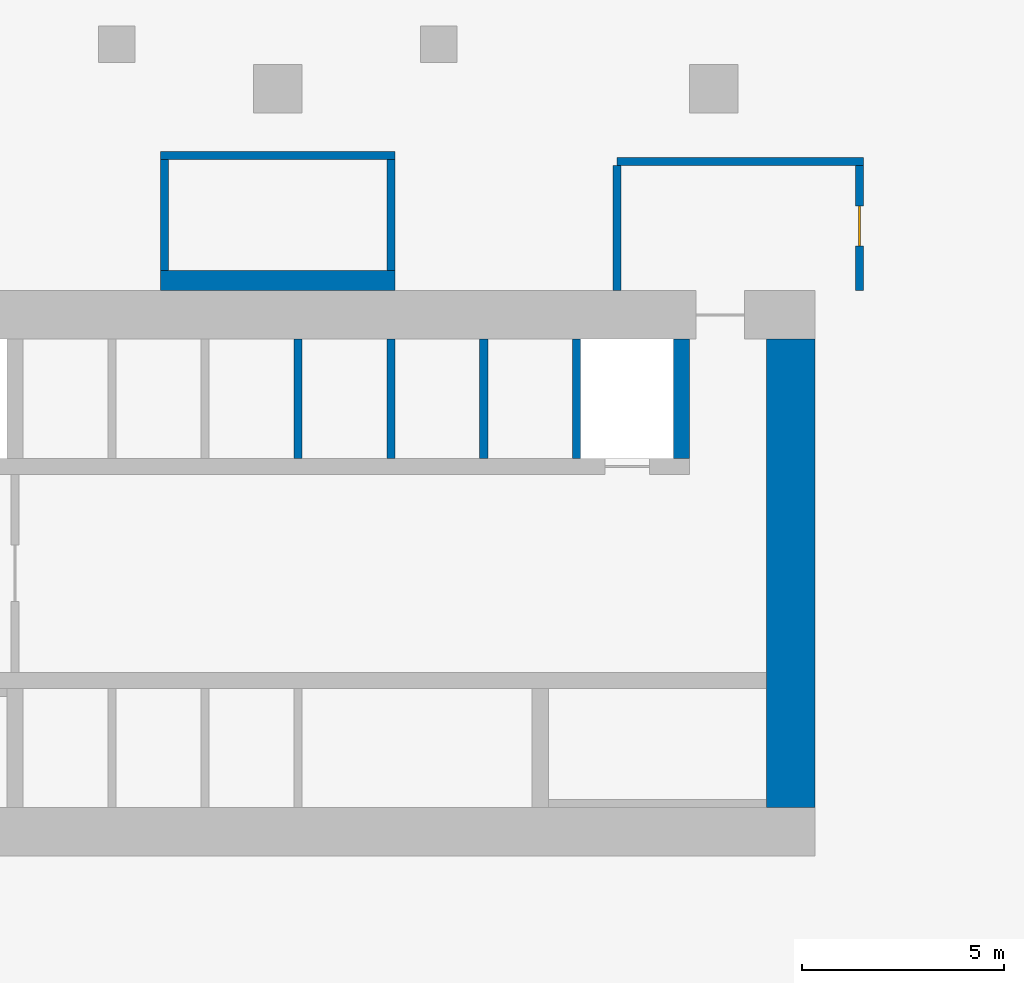
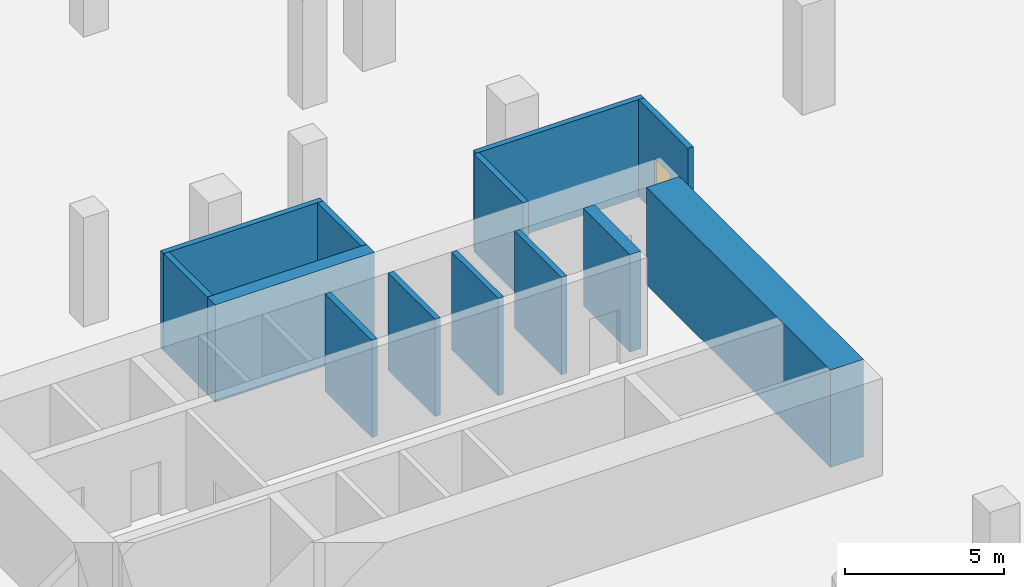
# One storey, part 5 of 20: 13 walls, 1 door, 1 opening.
"""IFC4 building model written with IfcOpenShell, lengths in metres."""

import ifcopenshell
import ifcopenshell.guid

model = None  # the IFC model being written
_history = None  # IfcOwnerHistory: only IFC2X3 demands one
_inside = {}  # id of a spatial element -> (the spatial element, [elements in it])
_under = {}  # id of a project, library or spatial element -> (it, [spatial elements below it])
_declared = {}  # id of a project -> (the project, [libraries it declares])
_typed = {}  # id of a type object -> (the type object, [elements of that type])
_made_of = {}  # id of a material, layer set ... -> (it, [elements and type objects made of it])


def new_model(schema):
    """Start an empty IFC model of exactly this schema.

    Asked for "IFC4X3", IfcOpenShell would pick the latest addendum, in which some entities
    have other attributes; the version numbers below select the first issue.
    IFC2X3 requires an IfcOwnerHistory on every rooted entity: one is made here for all.
    """
    global model, _history
    if schema == "IFC4X3":
        model = ifcopenshell.file(schema_version=(4, 3, 0, 0))
    else:
        model = ifcopenshell.file(schema=schema)
    _inside.clear()
    _under.clear()
    _declared.clear()
    _typed.clear()
    _made_of.clear()
    _history = None
    if model.schema == "IFC2X3":
        org = make("IfcOrganization", Name="unknown")
        user = make(
            "IfcPersonAndOrganization",
            ThePerson=make("IfcPerson", FamilyName="unknown"),
            TheOrganization=org,
        )
        app = make(
            "IfcApplication",
            ApplicationDeveloper=org,
            Version="unknown",
            ApplicationFullName="unknown",
            ApplicationIdentifier="unknown",
        )
        _history = make(
            "IfcOwnerHistory",
            OwningUser=user,
            OwningApplication=app,
            ChangeAction="ADDED",
            CreationDate=0,
        )
    return model


def make(cls, **values):
    """One entity of the class cls with the attributes given. An attribute that is None is left unset."""
    return model.create_entity(
        cls, **{name: value for name, value in values.items() if value is not None}
    )


def rooted(cls, **values):
    """An entity with a GlobalId (a new one), such as an element, a storey or a relation."""
    return make(cls, GlobalId=ifcopenshell.guid.new(), OwnerHistory=_history, **values)


def si_unit(unit_type, name, prefix=None):
    """IfcSIUnit, for example si_unit("LENGTHUNIT", "METRE", prefix="MILLI")."""
    return make("IfcSIUnit", UnitType=unit_type, Prefix=prefix, Name=name)


def assignment(units):
    """IfcUnitAssignment: the units of a project."""
    return None if units is None else make("IfcUnitAssignment", Units=units)


def point(xyz):
    """IfcCartesianPoint."""
    return None if xyz is None else make("IfcCartesianPoint", Coordinates=xyz)


def direction(xyz):
    """IfcDirection."""
    return None if xyz is None else make("IfcDirection", DirectionRatios=xyz)


def frame(location, z_axis=None, x_axis=None):
    """IfcAxis2Placement3D, a coordinate frame: its origin and axes. An axis left out is left unset."""
    return make(
        "IfcAxis2Placement3D",
        Location=point(location),
        Axis=direction(z_axis),
        RefDirection=direction(x_axis),
    )


def frame_2d(location, x_axis=None):
    """IfcAxis2Placement2D, a coordinate frame in the plane: its origin and x axis."""
    return make(
        "IfcAxis2Placement2D", Location=point(location), RefDirection=direction(x_axis)
    )


def origin():
    """The frame at (0, 0, 0) with its axes left unset."""
    return frame((0.0, 0.0, 0.0))


def place(relative_to, where):
    """IfcLocalPlacement: puts the frame where relative to a parent placement (None: the world)."""
    return make(
        "IfcLocalPlacement", PlacementRelTo=relative_to, RelativePlacement=where
    )


def context(
    kind, dimensions, precision=None, world=None, true_north=None, identifier=None
):
    """IfcGeometricRepresentationContext, for example the 3D "Model" context."""
    return make(
        "IfcGeometricRepresentationContext",
        ContextIdentifier=identifier,
        ContextType=kind,
        CoordinateSpaceDimension=dimensions,
        Precision=precision,
        WorldCoordinateSystem=world,
        TrueNorth=true_north,
    )


def subcontext(parent, identifier, kind, view, scale=None):
    """IfcGeometricRepresentationSubContext, for example "Body" below "Model"."""
    return make(
        "IfcGeometricRepresentationSubContext",
        ContextIdentifier=identifier,
        ContextType=kind,
        ParentContext=parent,
        TargetScale=scale,
        TargetView=view,
    )


def project(units=None, contexts=None):
    """IfcProject with its units and contexts."""
    return rooted(
        "IfcProject",
        Name="project",
        RepresentationContexts=contexts,
        UnitsInContext=assignment(units),
    )


def spatial(cls, under=None, at=None, **own):
    """A site, building, storey or space (cls), placed at a placement, below another one or the project."""
    s = rooted(cls, ObjectPlacement=at, **own)
    if under is not None:
        _under.setdefault(under.id(), (under, []))[1].append(s)
    return s


def profile(cls, at=None, kind="AREA", **sizes):
    """A parametric profile (cls). Its sizes go by their IFC names, for example OverallWidth=200.0."""
    return make(cls, ProfileType=kind, Position=at, **sizes)


def rectangle(**sizes):
    """IfcRectangleProfileDef."""
    return profile("IfcRectangleProfileDef", **sizes)


def extrude(swept, where, along, depth):
    """IfcExtrudedAreaSolid: the profile swept, set in the frame where, extruded along a direction by depth."""
    return make(
        "IfcExtrudedAreaSolid",
        SweptArea=swept,
        Position=where,
        ExtrudedDirection=direction(along),
        Depth=depth,
    )


def shape(context_of_items, identifier, shape_type, items):
    """IfcShapeRepresentation: the items that make up one representation, for example the "Body"."""
    return make(
        "IfcShapeRepresentation",
        ContextOfItems=context_of_items,
        RepresentationIdentifier=identifier,
        RepresentationType=shape_type,
        Items=items,
    )


def material(Name=None, Category=None):
    """IfcMaterial."""
    return make("IfcMaterial", Name=Name, Category=Category)


def layer(
    of_material, thickness, ventilated=None, Name=None, Category=None, Priority=None
):
    """IfcMaterialLayer: one layer of a wall or slab, of a material (None: an air gap)."""
    return make(
        "IfcMaterialLayer",
        Material=of_material,
        LayerThickness=thickness,
        IsVentilated=ventilated,
        Name=Name,
        Category=Category,
        Priority=Priority,
    )


def layer_set(layers, Name=None):
    """IfcMaterialLayerSet."""
    return make("IfcMaterialLayerSet", MaterialLayers=layers, LayerSetName=Name)


def made_of(thing, what):
    """Note that an element or type object is made of a material, layer set ...; save() writes the relation."""
    if what is not None:
        _made_of.setdefault(what.id(), (what, []))[1].append(thing)
    return thing


def type_object(cls, material=None, **own):
    """A type object (cls), such as IfcWallType, which elements share."""
    return made_of(rooted(cls, **own), material)


def element(
    cls,
    number,
    at=None,
    inside=None,
    cuts=None,
    type_object=None,
    material=None,
    context=None,
    identifier="Body",
    shape_type=None,
    held_by="IfcProductDefinitionShape",
    body=None,
    shapes=None,
    **own,
):
    """One element of the class cls, such as IfcWall. Its Tag is "e" and its number.

    at: its placement. inside: the storey or other place that contains it. cuts: it is an
    opening in that element (IfcRelVoidsElement). A single representation is given by context,
    identifier, shape_type and body (its items); several are given by shapes. held_by: the class
    of the entity that holds the representations. save() writes the other relations.
    """
    e = rooted(cls, Tag="e%d" % number, ObjectPlacement=at, **own)
    if body is not None:
        shapes = [shape(context, identifier, shape_type, body)]
    if shapes is not None:
        e.Representation = make(held_by, Representations=shapes)
    if inside is not None:
        _inside.setdefault(inside.id(), (inside, []))[1].append(e)
    if cuts is not None:
        rooted(
            "IfcRelVoidsElement", RelatingBuildingElement=cuts, RelatedOpeningElement=e
        )
    if type_object is not None:
        _typed.setdefault(type_object.id(), (type_object, []))[1].append(e)
    return made_of(e, material)


def fill(opening, filler):
    """IfcRelFillsElement: the door or window that sits in an opening."""
    return rooted(
        "IfcRelFillsElement",
        RelatingOpeningElement=opening,
        RelatedBuildingElement=filler,
    )


def aggregate(whole, parts):
    """IfcRelAggregates: a whole, such as a stair, and the parts it consists of."""
    return rooted("IfcRelAggregates", RelatingObject=whole, RelatedObjects=parts)


def save(model, path):
    """Write the relations noted so far, then the file.

    IfcRelAggregates (storeys below a building ...), IfcRelContainedInSpatialStructure (elements
    in a storey), IfcRelDefinesByType, IfcRelAssociatesMaterial and IfcRelDeclares: one each for
    every whole, place, type object, material and project.
    """
    for whole, parts in _under.values():
        aggregate(whole, parts)
    for where, things in _inside.values():
        rooted(
            "IfcRelContainedInSpatialStructure",
            RelatedElements=things,
            RelatingStructure=where,
        )
    for kind, things in _typed.values():
        rooted("IfcRelDefinesByType", RelatedObjects=things, RelatingType=kind)
    for what, things in _made_of.values():
        rooted("IfcRelAssociatesMaterial", RelatedObjects=things, RelatingMaterial=what)
    for by, libraries in _declared.values():
        rooted("IfcRelDeclares", RelatingContext=by, RelatedDefinitions=libraries)
    model.write(path)


model = new_model("IFC4")

# Units and contexts
model_context = context("Model", 3, precision=1e-05, world=origin(), true_north=direction((0.0, 1.0)))
body_context = subcontext(model_context, "Body", "Model", "MODEL_VIEW")
ifc_project = project(units=[si_unit("LENGTHUNIT", "METRE"), si_unit("AREAUNIT", "SQUARE_METRE"), si_unit("VOLUMEUNIT", "CUBIC_METRE"), si_unit("PLANEANGLEUNIT", "RADIAN"), si_unit("MASSUNIT", "GRAM", prefix="KILO")], contexts=[model_context])

# Site, building, storey
site_placement = place(None, origin())
site = spatial("IfcSite", under=ifc_project, at=site_placement, CompositionType="ELEMENT")
building_placement = place(site_placement, origin())
building = spatial("IfcBuilding", under=site, at=building_placement, Name="Beryl Residences", CompositionType="ELEMENT")
storey_placement = place(building_placement, frame((0.0, 0.0, -4.199951171875)))
storey = spatial("IfcBuildingStorey", under=building, at=storey_placement, Name="B1", CompositionType="ELEMENT", Elevation=-4.199951171875)

# Walls
ifc_material_1 = material(Name="Double stud gypsum board wall")
ifc_layer_1 = layer(ifc_material_1, 0.199951171875)
ifc_layer_set_1 = layer_set([ifc_layer_1], Name="PT4 corridor wall 200 mm double stud")
wall_type_1 = type_object("IfcWallType", Name="PT4 corridor wall 200 mm double stud", PredefinedType="PARTITIONING", material=ifc_layer_set_1)
wall_1_placement = place(storey_placement, frame((8.39990234375, -1.800048828125, 0.0), z_axis=(0.0, 0.0, 1.0), x_axis=(1.0, 0.0, 0.0)))
element("IfcWall", 1, at=wall_1_placement, inside=storey, type_object=wall_type_1, Name="Wall PT4 B1 001", PredefinedType="PARTITIONING", context=body_context, shape_type="SweptSolid", body=[
    extrude(rectangle(XDim=6.10009765625, YDim=0.199951171875, at=frame_2d((3.050048828125, 0.0))), origin(), (0.0, 0.0, 1.0), 3.75),
])
wall_2_placement = place(storey_placement, frame((8.39990234375, -5.0, 0.0), z_axis=(0.0, 0.0, 1.0), x_axis=(0.0, 1.0, 0.0)))
element("IfcWall", 2, at=wall_2_placement, inside=storey, type_object=wall_type_1, Name="Wall PT4 B1 002", PredefinedType="PARTITIONING", context=body_context, shape_type="SweptSolid", body=[
    extrude(rectangle(XDim=3.10009765625, YDim=0.199951171875, at=frame_2d((1.550048828125, 0.0))), origin(), (0.0, 0.0, 1.0), 3.75),
])

# Wall, opening, door
wall_3_placement = place(storey_placement, frame((14.39990234375, -5.0, 0.0), z_axis=(0.0, 0.0, 1.0), x_axis=(0.0, 1.0, 0.0)))
wall_3 = element("IfcWall", 3, at=wall_3_placement, inside=storey, type_object=wall_type_1, Name="Wall PT4 B1 003", PredefinedType="PARTITIONING", context=body_context, shape_type="SweptSolid", body=[
    extrude(rectangle(XDim=3.10009765625, YDim=0.199951171875, at=frame_2d((1.550048828125, 0.0))), origin(), (0.0, 0.0, 1.0), 3.75),
])
opening_placement = place(wall_3_placement, frame((2.10009765625, 0.0, 0.0), z_axis=(0.0, 0.0, 1.0), x_axis=(-1.0, 0.0, 0.0)))
opening = element("IfcOpeningElement", 4, at=opening_placement, cuts=wall_3, Name="Opening B1-07", PredefinedType="OPENING", context=body_context, shape_type="SweptSolid", body=[
    extrude(rectangle(XDim=1.0, YDim=2.10009765625, at=frame_2d((0.5, 1.050048828125))), frame((0.0, 0.10986328125, 0.0), z_axis=(0.0, -1.0, 0.0), x_axis=(1.0, 0.0, 0.0)), (0.0, 0.0, 1.0), 0.219970703125),
])
ifc_material_2 = material(Name="Timber door leaf", Category="wood")
door_type = type_object("IfcDoorType", Name="D9 corridor door 1000 x 2100 mm", OperationType="SINGLE_SWING_LEFT", PredefinedType="DOOR", material=ifc_material_2)
door_placement = place(opening_placement, origin())
door = element("IfcDoor", 5, at=door_placement, inside=storey, type_object=door_type, Name="Door B1-07 B1 001", OperationType="SINGLE_SWING_RIGHT", OverallHeight=2.10009765625, OverallWidth=1.0, PredefinedType="DOOR", context=body_context, shape_type="SweptSolid", body=[
    extrude(rectangle(XDim=1.0, YDim=2.10009765625, at=frame_2d((0.5, 1.050048828125))), frame((0.0, 0.02490234375, 0.0), z_axis=(0.0, -1.0, 0.0), x_axis=(1.0, 0.0, 0.0)), (0.0, 0.0, 1.0), 0.050048828125),
])
fill(opening, door)

# Walls
ifc_material_3 = material(Name="Concrete C40/50", Category="concrete")
ifc_layer_2 = layer(ifc_material_3, 0.199951171875)
ifc_layer_set_2 = layer_set([ifc_layer_2], Name="PT5 stair enclosure wall 200 mm reinforced concrete C40/50")
wall_type_2 = type_object("IfcWallType", Name="PT5 stair enclosure wall 200 mm reinforced concrete C40/50", PredefinedType="SOLIDWALL", material=ifc_layer_set_2)
wall_4_placement = place(storey_placement, frame((-2.89990234375, -1.64990234375, 0.0), z_axis=(0.0, 0.0, 1.0), x_axis=(1.0, 0.0, 0.0)))
element("IfcWall", 6, at=wall_4_placement, inside=storey, type_object=wall_type_2, Name="Wall PT5 B1 016", PredefinedType="SOLIDWALL", context=body_context, shape_type="SweptSolid", body=[
    extrude(rectangle(XDim=5.7998046875, YDim=0.199951171875, at=frame_2d((2.89990234375, 0.0))), origin(), (0.0, 0.0, 1.0), 3.75),
])
for number, where, z_axis, x_axis, name in (
    (7, (-2.800048828125, -4.5, 0.0), (0.0, 0.0, 1.0), (0.0, 1.0, 0.0), "Wall PT5 B1 017"),
    (8, (2.800048828125, -4.5, 0.0), (0.0, 0.0, 1.0), (0.0, 1.0, 0.0), "Wall PT5 B1 018"),
):
    element("IfcWall", number, at=place(storey_placement, frame(where, z_axis=z_axis, x_axis=x_axis)), inside=storey, type_object=wall_type_2, Name=name, PredefinedType="SOLIDWALL", context=body_context, shape_type="SweptSolid", body=[
        extrude(rectangle(XDim=2.75, YDim=0.199951171875, at=frame_2d((1.375, 0.0))), origin(), (0.0, 0.0, 1.0), 3.75),
    ])
ifc_material_4 = material(Name="Concrete C40/50", Category="concrete")
ifc_layer_3 = layer(ifc_material_4, 0.5)
ifc_layer_set_3 = layer_set([ifc_layer_3], Name="PT5-500 stair enclosure wall 500 mm")
wall_type_3 = type_object("IfcWallType", Name="PT5-500 stair enclosure wall 500 mm", PredefinedType="SOLIDWALL", material=ifc_layer_set_3)
wall_5_placement = place(storey_placement, frame((-2.89990234375, -4.75, 0.0), z_axis=(0.0, 0.0, 1.0), x_axis=(1.0, 0.0, 0.0)))
element("IfcWall", 9, at=wall_5_placement, inside=storey, type_object=wall_type_3, Name="Wall PT5-500 B1 001", PredefinedType="SOLIDWALL", context=body_context, shape_type="SweptSolid", body=[
    extrude(rectangle(XDim=5.7998046875, YDim=0.5, at=frame_2d((2.89990234375, 0.0))), origin(), (0.0, 0.0, 1.0), 3.75),
])
ifc_material_5 = material(Name="Concrete C40/50", Category="concrete")
ifc_layer_4 = layer(ifc_material_5, 0.199951171875)
ifc_layer_set_4 = layer_set([ifc_layer_4], Name="PT6 lift shaft wall 200 mm reinforced concrete C40/50")
wall_type_4 = type_object("IfcWallType", Name="PT6 lift shaft wall 200 mm reinforced concrete C40/50", PredefinedType="SOLIDWALL", material=ifc_layer_set_4)
for number, where, z_axis, x_axis, name in (
    (10, (0.5, -9.14990234375, 0.0), (0.0, 0.0, 1.0), (0.0, 1.0, 0.0), "Lift shaft wall 12"),
    (11, (2.800048828125, -9.14990234375, 0.0), (0.0, 0.0, 1.0), (0.0, 1.0, 0.0), "Lift shaft wall 13"),
    (12, (5.10009765625, -9.14990234375, 0.0), (0.0, 0.0, 1.0), (0.0, 1.0, 0.0), "Lift shaft wall 14"),
    (13, (7.39990234375, -9.14990234375, 0.0), (0.0, 0.0, 1.0), (0.0, 1.0, 0.0), "Lift shaft wall 16"),
):
    element("IfcWall", number, at=place(storey_placement, frame(where, z_axis=z_axis, x_axis=x_axis)), inside=storey, type_object=wall_type_4, Name=name, PredefinedType="SOLIDWALL", context=body_context, shape_type="SweptSolid", body=[
        extrude(rectangle(XDim=2.949951171875, YDim=0.199951171875, at=frame_2d((1.47509765625, 0.0))), origin(), (0.0, 0.0, 1.0), 3.75),
    ])
ifc_material_6 = material(Name="Concrete C80/95", Category="concrete")
ifc_layer_5 = layer(ifc_material_6, 1.199951171875)
ifc_layer_set_5 = layer_set([ifc_layer_5], Name="SW1 core outer wall 1200 mm C80/95")
wall_type_5 = type_object("IfcWallType", Name="SW1 core outer wall 1200 mm C80/95", PredefinedType="SHEAR", material=ifc_layer_set_5)
wall_6_placement = place(storey_placement, frame((12.699951171875, -17.800048828125, 0.0), z_axis=(0.0, 0.0, 1.0), x_axis=(0.0, 1.0, 0.0)))
element("IfcWall", 14, at=wall_6_placement, inside=storey, type_object=wall_type_5, Name="Core wall E B1", PredefinedType="SHEAR", context=body_context, shape_type="SweptSolid", body=[
    extrude(rectangle(XDim=11.60009765625, YDim=1.199951171875, at=frame_2d((5.800048828125, 0.0))), origin(), (0.0, 0.0, 1.0), 3.75),
])
ifc_material_7 = material(Name="Concrete C80/95", Category="concrete")
ifc_layer_6 = layer(ifc_material_7, 0.39990234375)
ifc_layer_set_6 = layer_set([ifc_layer_6], Name="SW6 core internal wall 400 mm C80/95")
wall_type_6 = type_object("IfcWallType", Name="SW6 core internal wall 400 mm C80/95", PredefinedType="SHEAR", material=ifc_layer_set_6)
wall_7_placement = place(storey_placement, frame((10.0, -9.14990234375, 0.0), z_axis=(0.0, 0.0, 1.0), x_axis=(0.0, 1.0, 0.0)))
element("IfcWall", 15, at=wall_7_placement, inside=storey, type_object=wall_type_6, Name="Core wall XN2 B1", PredefinedType="SHEAR", context=body_context, shape_type="SweptSolid", body=[
    extrude(rectangle(XDim=2.949951171875, YDim=0.39990234375, at=frame_2d((1.47509765625, 0.0))), origin(), (0.0, 0.0, 1.0), 3.75),
])

save(model, "model.ifc")
